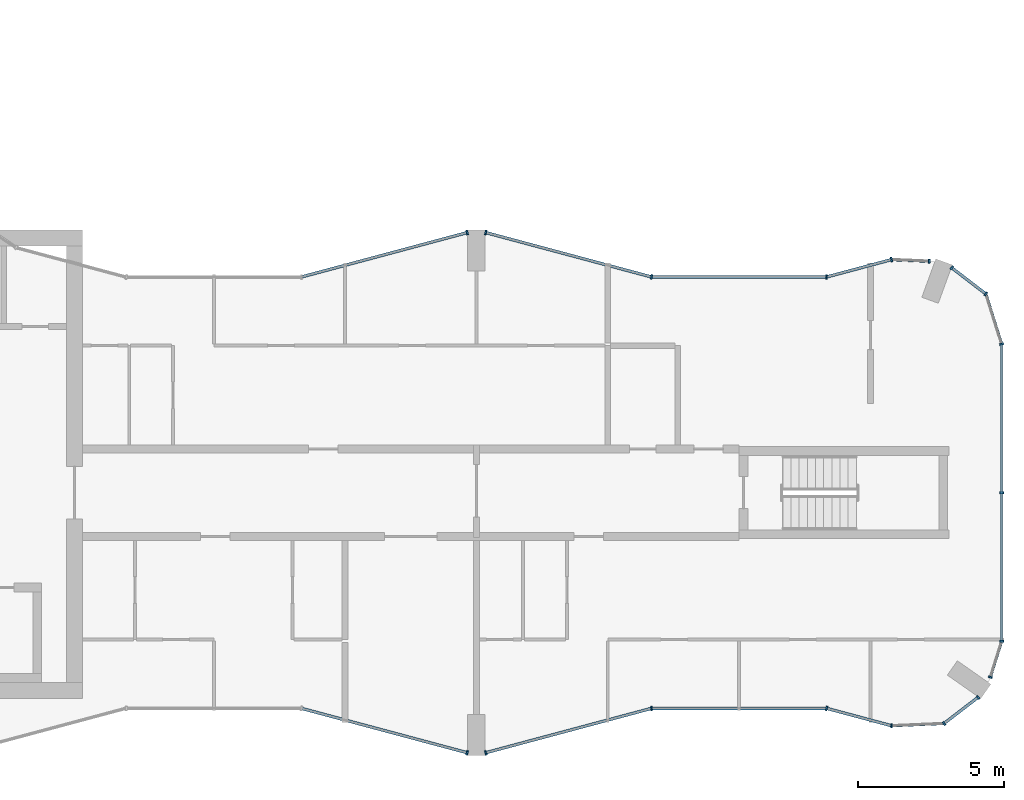
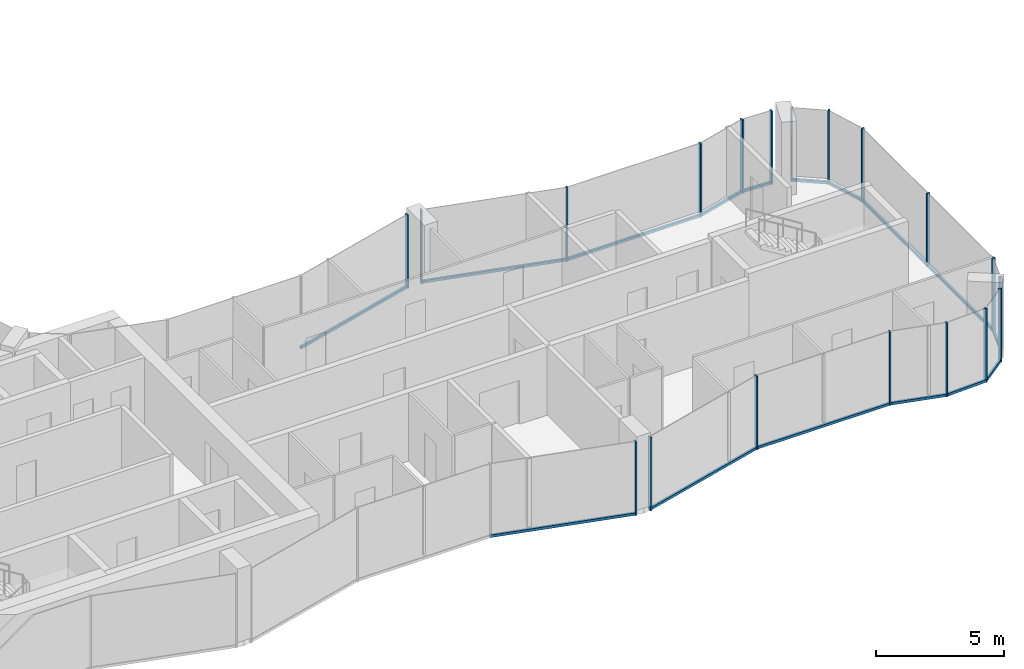
# One storey, part 6 of 15: 34 members, 15 elements without a shape of their own.
"""IFC4 building model written with IfcOpenShell, lengths in metres."""

from ifc_helpers import new_model, si_unit, direction, frame, origin, origin_2d, place, context, subcontext, project, spatial, rectangle, extrude, material, layer, layer_set, material_profile, profile_set, type_object, element, aggregate, save


model = new_model("IFC4")

# Units and contexts
model_context = context("Model", 3, precision=1e-05, world=origin(), true_north=direction((0.0, 1.0)))
body_context = subcontext(model_context, "Body", "Model", "MODEL_VIEW")
ifc_project = project(units=[si_unit("LENGTHUNIT", "METRE"), si_unit("AREAUNIT", "SQUARE_METRE"), si_unit("VOLUMEUNIT", "CUBIC_METRE"), si_unit("PLANEANGLEUNIT", "RADIAN"), si_unit("MASSUNIT", "GRAM", prefix="KILO")], contexts=[model_context])

# Site, building, storey
site_placement = place(None, origin())
site = spatial("IfcSite", under=ifc_project, at=site_placement, CompositionType="ELEMENT")
building_placement = place(site_placement, origin())
building = spatial("IfcBuilding", under=site, at=building_placement, Name="Plateau Cross Towers", CompositionType="ELEMENT")
storey_placement = place(building_placement, frame((0.0, 0.0, 208.39990234375)))
storey = spatial("IfcBuildingStorey", under=building, at=storey_placement, Name="L54", CompositionType="ELEMENT", Elevation=208.39990234375)

# Curtain wall, member
ifc_material_1 = material(Name="Dark low-iron glass", Category="glass")
ifc_layer_1 = layer(ifc_material_1, 0.239990234375)
ifc_layer_set_1 = layer_set([ifc_layer_1], Name="Dark low-iron glass")
curtain_wall_type_1 = type_object("IfcCurtainWallType", Name="Curtain wall flush unitised CW-B", PredefinedType="NOTDEFINED", material=ifc_layer_set_1)
curtain_wall_1_placement = place(storey_placement, origin())
curtain_wall_1 = element("IfcCurtainWall", 1, at=curtain_wall_1_placement, inside=storey, type_object=curtain_wall_type_1, Name="ENV/A/L54/A502_10", PredefinedType="NOTDEFINED")
ifc_material_2 = material(Name="Black anodised aluminium", Category="aluminium")
ifc_material_profile_1 = material_profile(ifc_material_2, rectangle(XDim=0.06005859375, YDim=0.139892578125, at=origin_2d()), Name="MULLION 60x140")
ifc_profile_set_1 = profile_set([ifc_material_profile_1], Name="Black anodised aluminium")
member_type_1 = type_object("IfcMemberType", Name="Mullion 60x140 flush unitised", PredefinedType="MULLION", material=ifc_profile_set_1)
member_1_placement = place(storey_placement, frame((50.223876953125, 1.01123046875, -0.25), z_axis=(0.0, 0.0, 1.0), x_axis=(0.999043701491, 0.043722791671, 0.0)))
member_1 = element("IfcMember", 2, at=member_1_placement, type_object=member_type_1, Name="CW-B mullion 1", PredefinedType="MULLION", context=body_context, shape_type="SweptSolid", body=[
    extrude(rectangle(XDim=0.06005859375, YDim=0.139892578125, at=origin_2d()), origin(), (0.0, 0.0, 1.0), 3.5),
])

# Curtain wall, members
curtain_wall_2_placement = place(storey_placement, origin())
curtain_wall_2 = element("IfcCurtainWall", 3, at=curtain_wall_2_placement, inside=storey, type_object=curtain_wall_type_1, Name="ENV/A/L54/A520_11", PredefinedType="NOTDEFINED")
member_2_placement = place(storey_placement, frame((52.0263671875, 1.090087890625, -0.25), z_axis=(0.0, 0.0, 1.0), x_axis=(0.793315514529, 0.608810721331, 0.0)))
member_2 = element("IfcMember", 4, at=member_2_placement, type_object=member_type_1, Name="CW-B mullion 1", PredefinedType="MULLION", context=body_context, shape_type="SweptSolid", body=[
    extrude(rectangle(XDim=0.06005859375, YDim=0.139892578125, at=origin_2d()), origin(), (0.0, 0.0, 1.0), 3.5),
])
member_3_placement = place(storey_placement, frame((53.193603515625, 1.986083984375, -0.25), z_axis=(0.0, 0.0, 1.0), x_axis=(0.793315514529, 0.608810721331, 0.0)))
member_3 = element("IfcMember", 5, at=member_3_placement, type_object=member_type_1, Name="CW-B mullion 2", PredefinedType="MULLION", context=body_context, shape_type="SweptSolid", body=[
    extrude(rectangle(XDim=0.06005859375, YDim=0.139892578125, at=origin_2d()), origin(), (0.0, 0.0, 1.0), 3.5),
])

# Curtain wall, member
curtain_wall_3_placement = place(storey_placement, origin())
curtain_wall_3 = element("IfcCurtainWall", 6, at=curtain_wall_3_placement, inside=storey, type_object=curtain_wall_type_1, Name="ENV/A/L54/A536_27", PredefinedType="NOTDEFINED")
member_4_placement = place(storey_placement, frame((53.611083984375, 2.67529296875, -0.25), z_axis=(0.0, 0.0, 1.0), x_axis=(0.300686174994, 0.95372313811, 0.0)))
member_4 = element("IfcMember", 7, at=member_4_placement, type_object=member_type_1, Name="CW-B mullion 1", PredefinedType="MULLION", context=body_context, shape_type="SweptSolid", body=[
    extrude(rectangle(XDim=0.06005859375, YDim=0.139892578125, at=origin_2d()), origin(), (0.0, 0.0, 1.0), 3.5),
])

# Curtain wall, members
curtain_wall_4_placement = place(storey_placement, origin())
curtain_wall_4 = element("IfcCurtainWall", 8, at=curtain_wall_4_placement, inside=storey, type_object=curtain_wall_type_1, Name="ENV/A/L54/A540_39", PredefinedType="NOTDEFINED")
member_5_placement = place(storey_placement, frame((54.0, 3.9091796875, -0.25), z_axis=(0.0, 0.0, 1.0), x_axis=(0.0, 1.0, 0.0)))
member_5 = element("IfcMember", 9, at=member_5_placement, type_object=member_type_1, Name="CW-B mullion 1", PredefinedType="MULLION", context=body_context, shape_type="SweptSolid", body=[
    extrude(rectangle(XDim=0.06005859375, YDim=0.139892578125, at=origin_2d()), origin(), (0.0, 0.0, 1.0), 3.5),
])
member_6_placement = place(storey_placement, frame((54.0, 9.0, -0.25), z_axis=(0.0, 0.0, 1.0), x_axis=(0.0, 1.0, 0.0)))
member_6 = element("IfcMember", 10, at=member_6_placement, type_object=member_type_1, Name="CW-B mullion 2", PredefinedType="MULLION", context=body_context, shape_type="SweptSolid", body=[
    extrude(rectangle(XDim=0.06005859375, YDim=0.139892578125, at=origin_2d()), origin(), (0.0, 0.0, 1.0), 3.5),
])

# Curtain wall, member
curtain_wall_5_placement = place(storey_placement, origin())
curtain_wall_5 = element("IfcCurtainWall", 11, at=curtain_wall_5_placement, inside=storey, type_object=curtain_wall_type_1, Name="ENV/A/L54/A540_141", PredefinedType="NOTDEFINED")
member_7_placement = place(storey_placement, frame((54.0, 14.0908203125, -0.25), z_axis=(0.0, 0.0, 1.0), x_axis=(-0.300686174994, 0.95372313811, 0.0)))
member_7 = element("IfcMember", 12, at=member_7_placement, type_object=member_type_1, Name="CW-B mullion 1", PredefinedType="MULLION", context=body_context, shape_type="SweptSolid", body=[
    extrude(rectangle(XDim=0.06005859375, YDim=0.139892578125, at=origin_2d()), origin(), (0.0, 0.0, 1.0), 3.5),
])

# Curtain wall, members
curtain_wall_6_placement = place(storey_placement, origin())
curtain_wall_6 = element("IfcCurtainWall", 13, at=curtain_wall_6_placement, inside=storey, type_object=curtain_wall_type_1, Name="ENV/A/L54/A535_158", PredefinedType="NOTDEFINED")
member_8_placement = place(storey_placement, frame((53.45751953125, 15.8115234375, -0.25), z_axis=(0.0, 0.0, 1.0), x_axis=(-0.793315514529, 0.608810721331, 0.0)))
member_8 = element("IfcMember", 14, at=member_8_placement, type_object=member_type_1, Name="CW-B mullion 1", PredefinedType="MULLION", context=body_context, shape_type="SweptSolid", body=[
    extrude(rectangle(XDim=0.06005859375, YDim=0.139892578125, at=origin_2d()), origin(), (0.0, 0.0, 1.0), 3.5),
])
member_9_placement = place(storey_placement, frame((52.290283203125, 16.707275390625, -0.25), z_axis=(0.0, 0.0, 1.0), x_axis=(-0.793315514529, 0.608810721331, 0.0)))
member_9 = element("IfcMember", 15, at=member_9_placement, type_object=member_type_1, Name="CW-B mullion 2", PredefinedType="MULLION", context=body_context, shape_type="SweptSolid", body=[
    extrude(rectangle(XDim=0.06005859375, YDim=0.139892578125, at=origin_2d()), origin(), (0.0, 0.0, 1.0), 3.5),
])

# Curtain wall, member
curtain_wall_7_placement = place(storey_placement, origin())
curtain_wall_7 = element("IfcCurtainWall", 16, at=curtain_wall_7_placement, inside=storey, type_object=curtain_wall_type_1, Name="ENV/A/L54/A515_169", PredefinedType="NOTDEFINED")
member_10_placement = place(storey_placement, frame((51.516357421875, 16.93212890625, -0.25), z_axis=(0.0, 0.0, 1.0), x_axis=(-0.999043701491, 0.043722791671, 0.0)))
member_10 = element("IfcMember", 17, at=member_10_placement, type_object=member_type_1, Name="CW-B mullion 1", PredefinedType="MULLION", context=body_context, shape_type="SweptSolid", body=[
    extrude(rectangle(XDim=0.06005859375, YDim=0.139892578125, at=origin_2d()), origin(), (0.0, 0.0, 1.0), 3.5),
])

ifc_layer_2 = layer(ifc_material_1, 0.260009765625)
ifc_layer_set_2 = layer_set([ifc_layer_2], Name="Dark low-iron glass")
curtain_wall_type_2 = type_object("IfcCurtainWallType", Name="Curtain wall fluted unitised CW-A", PredefinedType="NOTDEFINED", material=ifc_layer_set_2)
curtain_wall_8_placement = place(storey_placement, origin())
curtain_wall_8 = element("IfcCurtainWall", 18, at=curtain_wall_8_placement, inside=storey, type_object=curtain_wall_type_2, Name="ENV/A/L54/A300_16", PredefinedType="NOTDEFINED")
ifc_material_profile_2 = material_profile(ifc_material_2, rectangle(XDim=0.06005859375, YDim=0.159912109375, at=origin_2d()), Name="MULLION 60x160")
ifc_profile_set_2 = profile_set([ifc_material_profile_2], Name="Black anodised aluminium")
member_type_2 = type_object("IfcMemberType", Name="Mullion 60x160 fluted unitised", PredefinedType="MULLION", material=ifc_profile_set_2)
member_11_placement = place(storey_placement, frame((35.68212890625, 0.085205078125, -0.25), z_axis=(0.0, 0.0, 1.0), x_axis=(0.965957983404, -0.258699003279, 0.0)))
member_11 = element("IfcMember", 19, at=member_11_placement, type_object=member_type_2, Name="CW-A mullion 2", PredefinedType="MULLION", context=body_context, shape_type="SweptSolid", body=[
    extrude(rectangle(XDim=0.06005859375, YDim=0.159912109375, at=origin_2d()), origin(), (0.0, 0.0, 1.0), 3.5),
])

curtain_wall_9_placement = place(storey_placement, origin())
curtain_wall_9 = element("IfcCurtainWall", 20, at=curtain_wall_9_placement, inside=storey, type_object=curtain_wall_type_2, Name="ENV/A/L54/A363_1", PredefinedType="NOTDEFINED")
member_12_placement = place(storey_placement, frame((36.31787109375, 0.085205078125, -0.25), z_axis=(0.0, 0.0, 1.0), x_axis=(0.965957983404, 0.258699003279, 0.0)))
member_12 = element("IfcMember", 21, at=member_12_placement, type_object=member_type_2, Name="CW-A mullion 1", PredefinedType="MULLION", context=body_context, shape_type="SweptSolid", body=[
    extrude(rectangle(XDim=0.06005859375, YDim=0.159912109375, at=origin_2d()), origin(), (0.0, 0.0, 1.0), 3.5),
])

curtain_wall_10_placement = place(storey_placement, origin())
curtain_wall_10 = element("IfcCurtainWall", 22, at=curtain_wall_10_placement, inside=storey, type_object=curtain_wall_type_2, Name="ENV/A/L54/A420_16", PredefinedType="NOTDEFINED")
member_13_placement = place(storey_placement, frame((42.0, 1.60693359375, -0.25), z_axis=(0.0, 0.0, 1.0), x_axis=(1.0, 0.0, 0.0)))
member_13 = element("IfcMember", 23, at=member_13_placement, type_object=member_type_2, Name="CW-A mullion 1", PredefinedType="MULLION", context=body_context, shape_type="SweptSolid", body=[
    extrude(rectangle(XDim=0.06005859375, YDim=0.159912109375, at=origin_2d()), origin(), (0.0, 0.0, 1.0), 3.5),
])

curtain_wall_11_placement = place(storey_placement, origin())
curtain_wall_11 = element("IfcCurtainWall", 24, at=curtain_wall_11_placement, inside=storey, type_object=curtain_wall_type_2, Name="ENV/A/L54/A480_16", PredefinedType="NOTDEFINED")
member_14_placement = place(storey_placement, frame((48.0, 1.60693359375, -0.25), z_axis=(0.0, 0.0, 1.0), x_axis=(0.965957962328, -0.258699081978, 0.0)))
member_14 = element("IfcMember", 25, at=member_14_placement, type_object=member_type_2, Name="CW-A mullion 1", PredefinedType="MULLION", context=body_context, shape_type="SweptSolid", body=[
    extrude(rectangle(XDim=0.06005859375, YDim=0.159912109375, at=origin_2d()), origin(), (0.0, 0.0, 1.0), 3.5),
])

curtain_wall_12_placement = place(storey_placement, origin())
curtain_wall_12 = element("IfcCurtainWall", 26, at=curtain_wall_12_placement, inside=storey, type_object=curtain_wall_type_2, Name="ENV/A/L54/A502_170", PredefinedType="NOTDEFINED")
member_15_placement = place(storey_placement, frame((50.223876953125, 16.98876953125, -0.25), z_axis=(0.0, 0.0, 1.0), x_axis=(-0.965957962328, -0.258699081978, 0.0)))
member_15 = element("IfcMember", 27, at=member_15_placement, type_object=member_type_2, Name="CW-A mullion 1", PredefinedType="MULLION", context=body_context, shape_type="SweptSolid", body=[
    extrude(rectangle(XDim=0.06005859375, YDim=0.159912109375, at=origin_2d()), origin(), (0.0, 0.0, 1.0), 3.5),
])

curtain_wall_13_placement = place(storey_placement, origin())
curtain_wall_13 = element("IfcCurtainWall", 28, at=curtain_wall_13_placement, inside=storey, type_object=curtain_wall_type_2, Name="ENV/A/L54/A480_164", PredefinedType="NOTDEFINED")
member_16_placement = place(storey_placement, frame((48.0, 16.39306640625, -0.25), z_axis=(0.0, 0.0, 1.0), x_axis=(-1.0, 0.0, 0.0)))
member_16 = element("IfcMember", 29, at=member_16_placement, type_object=member_type_2, Name="CW-A mullion 1", PredefinedType="MULLION", context=body_context, shape_type="SweptSolid", body=[
    extrude(rectangle(XDim=0.06005859375, YDim=0.159912109375, at=origin_2d()), origin(), (0.0, 0.0, 1.0), 3.5),
])

# Curtain wall, members
curtain_wall_14_placement = place(storey_placement, origin())
curtain_wall_14 = element("IfcCurtainWall", 30, at=curtain_wall_14_placement, inside=storey, type_object=curtain_wall_type_2, Name="ENV/A/L54/A420_164", PredefinedType="NOTDEFINED")
member_17_placement = place(storey_placement, frame((42.0, 16.39306640625, -0.25), z_axis=(0.0, 0.0, 1.0), x_axis=(-0.965957983404, 0.258699003279, 0.0)))
member_17 = element("IfcMember", 31, at=member_17_placement, type_object=member_type_2, Name="CW-A mullion 1", PredefinedType="MULLION", context=body_context, shape_type="SweptSolid", body=[
    extrude(rectangle(XDim=0.06005859375, YDim=0.159912109375, at=origin_2d()), origin(), (0.0, 0.0, 1.0), 3.5),
])
member_18_placement = place(storey_placement, frame((36.31787109375, 17.914794921875, -0.25), z_axis=(0.0, 0.0, 1.0), x_axis=(-0.965957983404, 0.258699003279, 0.0)))
member_18 = element("IfcMember", 32, at=member_18_placement, type_object=member_type_2, Name="CW-A mullion 2", PredefinedType="MULLION", context=body_context, shape_type="SweptSolid", body=[
    extrude(rectangle(XDim=0.06005859375, YDim=0.159912109375, at=origin_2d()), origin(), (0.0, 0.0, 1.0), 3.5),
])

# Curtain wall, member
curtain_wall_15_placement = place(storey_placement, origin())
curtain_wall_15 = element("IfcCurtainWall", 33, at=curtain_wall_15_placement, inside=storey, type_object=curtain_wall_type_2, Name="ENV/A/L54/A357_179", PredefinedType="NOTDEFINED")
member_19_placement = place(storey_placement, frame((35.68212890625, 17.914794921875, -0.25), z_axis=(0.0, 0.0, 1.0), x_axis=(-0.965957983404, -0.258699003279, 0.0)))
member_19 = element("IfcMember", 34, at=member_19_placement, type_object=member_type_2, Name="CW-A mullion 1", PredefinedType="MULLION", context=body_context, shape_type="SweptSolid", body=[
    extrude(rectangle(XDim=0.06005859375, YDim=0.159912109375, at=origin_2d()), origin(), (0.0, 0.0, 1.0), 3.5),
])

# Member
ifc_material_profile_3 = material_profile(ifc_material_2, rectangle(XDim=0.10009765625, YDim=0.1201171875, at=origin_2d()), Name="TRANSOM 100x120")
ifc_profile_set_3 = profile_set([ifc_material_profile_3], Name="Black anodised aluminium")
member_type_3 = type_object("IfcMemberType", Name="Transom 100x120 flush unitised", PredefinedType="USERDEFINED", material=ifc_profile_set_3)
member_20_placement = place(storey_placement, frame((50.223876953125, 1.01123046875, -0.18994140625), z_axis=(0.999044377355, 0.043707345779, 0.0), x_axis=(-0.043707345779, 0.999044377355, 0.0)))
member_20 = element("IfcMember", 35, at=member_20_placement, type_object=member_type_3, Name="CW-B transom", ObjectType="TRANSOM", PredefinedType="USERDEFINED", context=body_context, shape_type="SweptSolid", body=[
    extrude(rectangle(XDim=0.10009765625, YDim=0.1201171875, at=origin_2d()), origin(), (0.0, 0.0, 1.0), 1.80419921875),
])

aggregate(curtain_wall_1, [member_1, member_20])

member_21_placement = place(storey_placement, frame((52.0263671875, 1.090087890625, -0.18994140625), z_axis=(0.793240368515, 0.608908628415, 0.0), x_axis=(-0.608908628415, 0.793240368515, 0.0)))
member_21 = element("IfcMember", 36, at=member_21_placement, type_object=member_type_3, Name="CW-B transom", ObjectType="TRANSOM", PredefinedType="USERDEFINED", context=body_context, shape_type="SweptSolid", body=[
    extrude(rectangle(XDim=0.10009765625, YDim=0.1201171875, at=origin_2d()), origin(), (0.0, 0.0, 1.0), 1.471435546875),
])

aggregate(curtain_wall_2, [member_2, member_3, member_21])

member_22_placement = place(storey_placement, frame((53.611083984375, 2.67529296875, -0.18994140625), z_axis=(0.300616528216, 0.953745093284, 0.0), x_axis=(-0.953745093284, 0.300616528216, 0.0)))
member_22 = element("IfcMember", 37, at=member_22_placement, type_object=member_type_3, Name="CW-B transom", ObjectType="TRANSOM", PredefinedType="USERDEFINED", context=body_context, shape_type="SweptSolid", body=[
    extrude(rectangle(XDim=0.10009765625, YDim=0.1201171875, at=origin_2d()), origin(), (0.0, 0.0, 1.0), 1.293701171875),
])

aggregate(curtain_wall_3, [member_4, member_22])

member_23_placement = place(storey_placement, frame((54.0, 3.9091796875, -0.18994140625), z_axis=(0.0, 1.0, 0.0), x_axis=(-1.0, 0.0, 0.0)))
member_23 = element("IfcMember", 38, at=member_23_placement, type_object=member_type_3, Name="CW-B transom", ObjectType="TRANSOM", PredefinedType="USERDEFINED", context=body_context, shape_type="SweptSolid", body=[
    extrude(rectangle(XDim=0.10009765625, YDim=0.1201171875, at=origin_2d()), origin(), (0.0, 0.0, 1.0), 10.181640625),
])

aggregate(curtain_wall_4, [member_5, member_6, member_23])

member_24_placement = place(storey_placement, frame((54.0, 14.0908203125, -0.18994140625), z_axis=(-0.30067799945, 0.953725715626, 0.0), x_axis=(-0.953725715626, -0.30067799945, 0.0)))
member_24 = element("IfcMember", 39, at=member_24_placement, type_object=member_type_3, Name="CW-B transom", ObjectType="TRANSOM", PredefinedType="USERDEFINED", context=body_context, shape_type="SweptSolid", body=[
    extrude(rectangle(XDim=0.10009765625, YDim=0.1201171875, at=origin_2d()), origin(), (0.0, 0.0, 1.0), 1.80419921875),
])

aggregate(curtain_wall_5, [member_7, member_24])

member_25_placement = place(storey_placement, frame((53.45751953125, 15.8115234375, -0.18994140625), z_axis=(-0.793320508571, 0.608804213751, 0.0), x_axis=(-0.608804213751, -0.793320508571, 0.0)))
member_25 = element("IfcMember", 40, at=member_25_placement, type_object=member_type_3, Name="CW-B transom", ObjectType="TRANSOM", PredefinedType="USERDEFINED", context=body_context, shape_type="SweptSolid", body=[
    extrude(rectangle(XDim=0.10009765625, YDim=0.1201171875, at=origin_2d()), origin(), (0.0, 0.0, 1.0), 1.471435546875),
])

aggregate(curtain_wall_6, [member_8, member_9, member_25])

member_26_placement = place(storey_placement, frame((51.516357421875, 16.93212890625, -0.18994140625), z_axis=(-0.999041144614, 0.043781175963, 0.0), x_axis=(-0.043781175963, -0.999041144614, 0.0)))
member_26 = element("IfcMember", 41, at=member_26_placement, type_object=member_type_3, Name="CW-B transom", ObjectType="TRANSOM", PredefinedType="USERDEFINED", context=body_context, shape_type="SweptSolid", body=[
    extrude(rectangle(XDim=0.10009765625, YDim=0.1201171875, at=origin_2d()), origin(), (0.0, 0.0, 1.0), 1.293701171875),
])

aggregate(curtain_wall_7, [member_10, member_26])

ifc_material_profile_4 = material_profile(ifc_material_2, rectangle(XDim=0.10009765625, YDim=0.1201171875, at=origin_2d()), Name="TRANSOM 100x120")
ifc_profile_set_4 = profile_set([ifc_material_profile_4], Name="Black anodised aluminium")
member_type_4 = type_object("IfcMemberType", Name="Transom 100x120 fluted unitised", PredefinedType="USERDEFINED", material=ifc_profile_set_4)
member_27_placement = place(storey_placement, frame((30.0, 1.60693359375, -0.18994140625), z_axis=(0.965959534794, -0.258693210465, 0.0), x_axis=(0.258693210465, 0.965959534794, 0.0)))
member_27 = element("IfcMember", 42, at=member_27_placement, type_object=member_type_4, Name="CW-A transom", ObjectType="TRANSOM", PredefinedType="USERDEFINED", context=body_context, shape_type="SweptSolid", body=[
    extrude(rectangle(XDim=0.10009765625, YDim=0.1201171875, at=origin_2d()), origin(), (0.0, 0.0, 1.0), 5.88232421875),
])

aggregate(curtain_wall_8, [member_11, member_27])

member_28_placement = place(storey_placement, frame((36.31787109375, 0.085205078125, -0.18994140625), z_axis=(0.965959534794, 0.258693210465, 0.0), x_axis=(-0.258693210465, 0.965959534794, 0.0)))
member_28 = element("IfcMember", 43, at=member_28_placement, type_object=member_type_4, Name="CW-A transom", ObjectType="TRANSOM", PredefinedType="USERDEFINED", context=body_context, shape_type="SweptSolid", body=[
    extrude(rectangle(XDim=0.10009765625, YDim=0.1201171875, at=origin_2d()), origin(), (0.0, 0.0, 1.0), 5.88232421875),
])

aggregate(curtain_wall_9, [member_12, member_28])

member_29_placement = place(storey_placement, frame((42.0, 1.60693359375, -0.18994140625), z_axis=(1.0, 0.0, 0.0), x_axis=(0.0, 1.0, 0.0)))
member_29 = element("IfcMember", 44, at=member_29_placement, type_object=member_type_4, Name="CW-A transom", ObjectType="TRANSOM", PredefinedType="USERDEFINED", context=body_context, shape_type="SweptSolid", body=[
    extrude(rectangle(XDim=0.10009765625, YDim=0.1201171875, at=origin_2d()), origin(), (0.0, 0.0, 1.0), 6.0),
])

aggregate(curtain_wall_10, [member_13, member_29])

member_30_placement = place(storey_placement, frame((48.0, 1.60693359375, -0.18994140625), z_axis=(0.965945685136, -0.258744919501, 0.0), x_axis=(0.258744919501, 0.965945685136, 0.0)))
member_30 = element("IfcMember", 45, at=member_30_placement, type_object=member_type_4, Name="CW-A transom", ObjectType="TRANSOM", PredefinedType="USERDEFINED", context=body_context, shape_type="SweptSolid", body=[
    extrude(rectangle(XDim=0.10009765625, YDim=0.1201171875, at=origin_2d()), origin(), (0.0, 0.0, 1.0), 2.30224609375),
])

aggregate(curtain_wall_11, [member_14, member_30])

member_31_placement = place(storey_placement, frame((50.223876953125, 16.98876953125, -0.18994140625), z_axis=(-0.965945685136, -0.258744919501, 0.0), x_axis=(0.258744919501, -0.965945685136, 0.0)))
member_31 = element("IfcMember", 46, at=member_31_placement, type_object=member_type_4, Name="CW-A transom", ObjectType="TRANSOM", PredefinedType="USERDEFINED", context=body_context, shape_type="SweptSolid", body=[
    extrude(rectangle(XDim=0.10009765625, YDim=0.1201171875, at=origin_2d()), origin(), (0.0, 0.0, 1.0), 2.30224609375),
])

aggregate(curtain_wall_12, [member_15, member_31])

member_32_placement = place(storey_placement, frame((48.0, 16.39306640625, -0.18994140625), z_axis=(-1.0, 0.0, 0.0), x_axis=(0.0, -1.0, 0.0)))
member_32 = element("IfcMember", 47, at=member_32_placement, type_object=member_type_4, Name="CW-A transom", ObjectType="TRANSOM", PredefinedType="USERDEFINED", context=body_context, shape_type="SweptSolid", body=[
    extrude(rectangle(XDim=0.10009765625, YDim=0.1201171875, at=origin_2d()), origin(), (0.0, 0.0, 1.0), 6.0),
])

aggregate(curtain_wall_13, [member_16, member_32])

member_33_placement = place(storey_placement, frame((42.0, 16.39306640625, -0.18994140625), z_axis=(-0.965959534794, 0.258693210465, 0.0), x_axis=(-0.258693210465, -0.965959534794, 0.0)))
member_33 = element("IfcMember", 48, at=member_33_placement, type_object=member_type_4, Name="CW-A transom", ObjectType="TRANSOM", PredefinedType="USERDEFINED", context=body_context, shape_type="SweptSolid", body=[
    extrude(rectangle(XDim=0.10009765625, YDim=0.1201171875, at=origin_2d()), origin(), (0.0, 0.0, 1.0), 5.88232421875),
])

aggregate(curtain_wall_14, [member_17, member_18, member_33])

member_34_placement = place(storey_placement, frame((35.68212890625, 17.914794921875, -0.18994140625), z_axis=(-0.965959534794, -0.258693210465, 0.0), x_axis=(0.258693210465, -0.965959534794, 0.0)))
member_34 = element("IfcMember", 49, at=member_34_placement, type_object=member_type_4, Name="CW-A transom", ObjectType="TRANSOM", PredefinedType="USERDEFINED", context=body_context, shape_type="SweptSolid", body=[
    extrude(rectangle(XDim=0.10009765625, YDim=0.1201171875, at=origin_2d()), origin(), (0.0, 0.0, 1.0), 5.88232421875),
])

aggregate(curtain_wall_15, [member_19, member_34])

save(model, "model.ifc")
